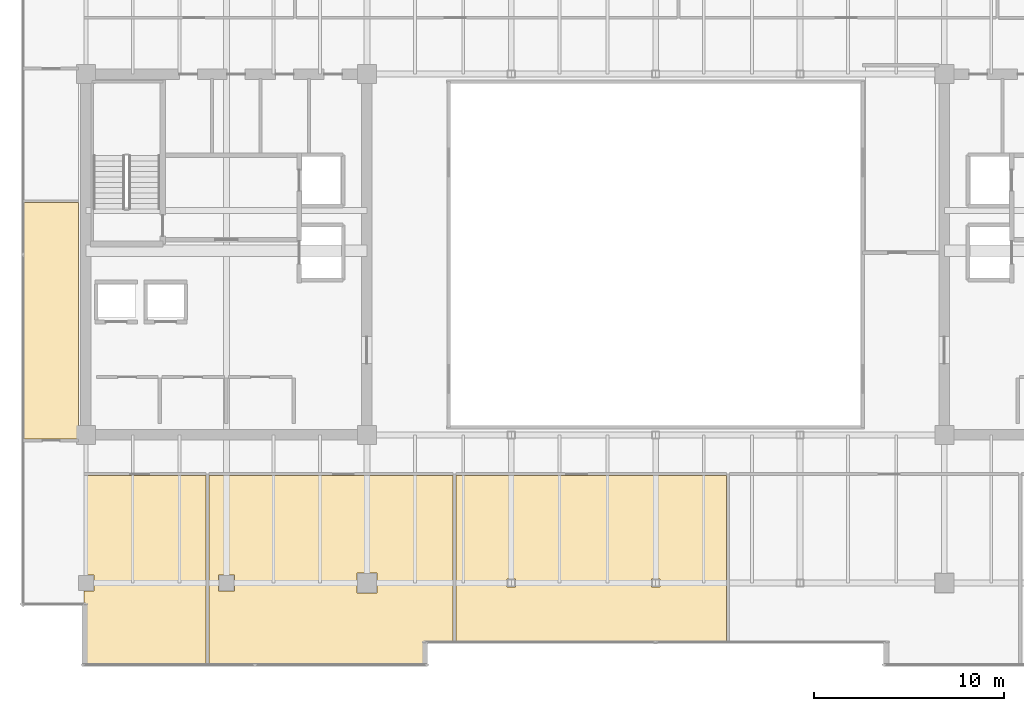
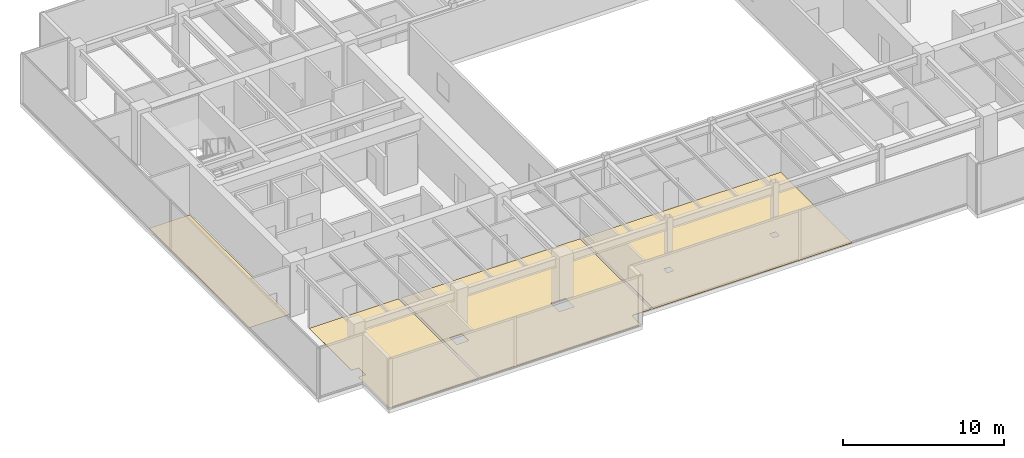
# One storey, part 32 of 35: 4 coverings.
"""IFC4 building model written with IfcOpenShell, lengths in metres."""

from ifc_helpers import new_model, si_unit, direction, frame, origin, place, context, subcontext, project, spatial, polyline, outline, extrude, material, layer, layer_set, type_object, element, save


model = new_model("IFC4")

# Units and contexts
model_context = context("Model", 3, precision=1e-05, world=origin(), true_north=direction((0.0, 1.0)))
body_context = subcontext(model_context, "Body", "Model", "MODEL_VIEW")
ifc_project = project(units=[si_unit("LENGTHUNIT", "METRE"), si_unit("AREAUNIT", "SQUARE_METRE"), si_unit("VOLUMEUNIT", "CUBIC_METRE"), si_unit("PLANEANGLEUNIT", "RADIAN"), si_unit("MASSUNIT", "GRAM", prefix="KILO")], contexts=[model_context])

# Site, building, storey
site_placement = place(None, origin())
site = spatial("IfcSite", under=ifc_project, at=site_placement, CompositionType="ELEMENT")
building_placement = place(site_placement, origin())
building = spatial("IfcBuilding", under=site, at=building_placement, Name="Haelvirn Gate Laboratories", CompositionType="ELEMENT")
storey_placement = place(building_placement, frame((0.0, 0.0, 226.0)))
storey = spatial("IfcBuildingStorey", under=building, at=storey_placement, Name="L54", CompositionType="ELEMENT", Elevation=226.0)

# Coverings
ifc_material = material(Name="Seamless chemical-resistant epoxy laboratory flooring")
ifc_layer = layer(ifc_material, 0.01806640625, Name="COV-FLR-RESIN")
ifc_layer_set = layer_set([ifc_layer], Name="Seamless chemical-resistant epoxy laboratory flooring")
covering_type = type_object("IfcCoveringType", Name="COV-FLR-RESIN", PredefinedType="FLOORING", material=ifc_layer_set)
covering_1_placement = place(storey_placement, origin())
element("IfcCovering", 1, at=covering_1_placement, inside=storey, type_object=covering_type, Name="L54 Seamless Laboratory Flooring FLR-SP-L54-S-01", PredefinedType="FLOORING", context=body_context, shape_type="SweptSolid", body=[
    extrude(outline(polyline([(7.820068359375, 6.580078125), (7.820068359375, 7.419921875), (7.31005859375, 7.419921875), (7.31005859375, 12.669921875), (13.719970703125, 12.669921875), (13.719970703125, 2.7099609375), (7.31005859375, 2.7099609375), (7.31005859375, 6.580078125), (7.820068359375, 6.580078125)])), origin(), (0.0, 0.0, 1.0), 0.01806640625),
])
covering_2_placement = place(storey_placement, origin())
element("IfcCovering", 2, at=covering_2_placement, inside=storey, type_object=covering_type, Name="L54 Seamless Laboratory Flooring FLR-SP-L54-S-02", PredefinedType="FLOORING", context=body_context, shape_type="SweptSolid", body=[
    extrude(outline(polyline([(26.719970703125, 3.840087890625), (25.39990234375, 3.840087890625), (25.39599609375, 3.83984375), (25.39208984375, 3.839111328125), (25.388427734375, 3.83837890625), (25.384765625, 3.8369140625), (25.381103515625, 3.835205078125), (25.377685546875, 3.833251953125), (25.37451171875, 3.830810546875), (25.37158203125, 3.828369140625), (25.369140625, 3.825439453125), (25.36669921875, 3.822265625), (25.36474609375, 3.81884765625), (25.363037109375, 3.815185546875), (25.36181640625, 3.8115234375), (25.36083984375, 3.807861328125), (25.360107421875, 3.803955078125), (25.360107421875, 3.800048828125), (25.360107421875, 2.7099609375), (13.8798828125, 2.7099609375), (13.8798828125, 12.669921875), (26.719970703125, 12.669921875), (26.719970703125, 3.840087890625)]), holes=[polyline([(14.3798828125, 6.580078125), (15.219970703125, 6.580078125), (15.219970703125, 7.419921875), (14.3798828125, 7.419921875), (14.3798828125, 6.580078125)]), polyline([(21.679931640625, 7.52001953125), (21.679931640625, 6.47998046875), (22.719970703125, 6.47998046875), (22.719970703125, 7.52001953125), (21.679931640625, 7.52001953125)])]), origin(), (0.0, 0.0, 1.0), 0.01806640625),
])
covering_3_placement = place(storey_placement, origin())
element("IfcCovering", 3, at=covering_3_placement, inside=storey, type_object=covering_type, Name="L54 Seamless Laboratory Flooring FLR-SP-L54-S-03", PredefinedType="FLOORING", context=body_context, shape_type="SweptSolid", body=[
    extrude(outline(polyline([(26.8798828125, 3.840087890625), (26.8798828125, 12.669921875), (41.1201171875, 12.669921875), (41.1201171875, 3.840087890625), (26.8798828125, 3.840087890625)]), holes=[polyline([(29.580078125, 6.780029296875), (30.02001953125, 6.780029296875), (30.02001953125, 7.219970703125), (29.580078125, 7.219970703125), (29.580078125, 6.780029296875)]), polyline([(37.179931640625, 7.219970703125), (37.179931640625, 6.780029296875), (37.6201171875, 6.780029296875), (37.6201171875, 7.219970703125), (37.179931640625, 7.219970703125)])]), origin(), (0.0, 0.0, 1.0), 0.01806640625),
])
covering_4_placement = place(storey_placement, origin())
element("IfcCovering", 4, at=covering_4_placement, inside=storey, type_object=covering_type, Name="L54 Seamless Laboratory Flooring FLR-SP-L54-WZ3-S", PredefinedType="FLOORING", context=body_context, shape_type="SweptSolid", body=[
    extrude(outline(polyline([(4.110107421875, 27.030029296875), (7.02001953125, 27.030029296875), (7.02001953125, 14.5849609375), (4.110107421875, 14.5849609375), (4.110107421875, 27.030029296875)])), origin(), (0.0, 0.0, 1.0), 0.01806640625),
])

save(model, "model.ifc")
